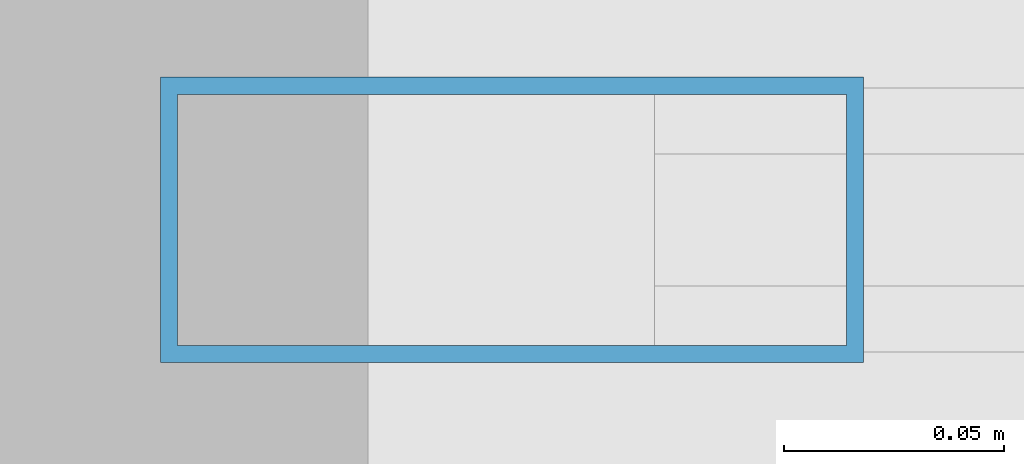
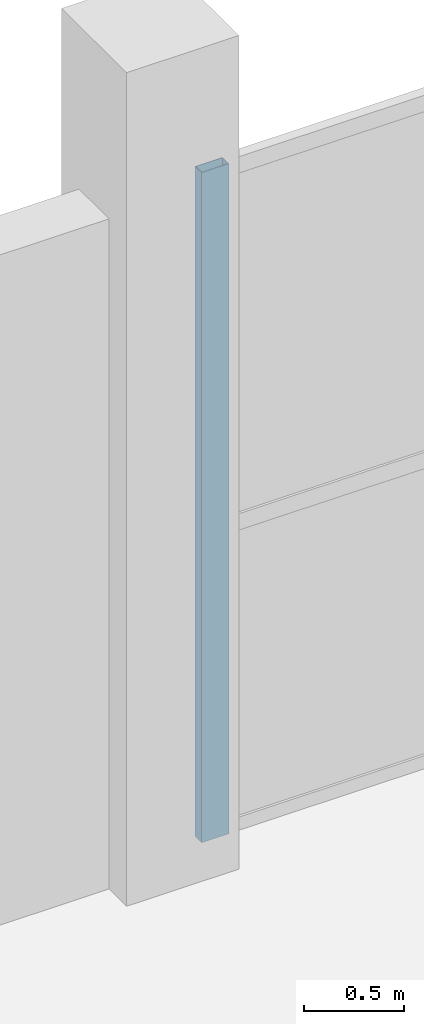
# One storey, part 45 of 67: 1 member, 1 element without a shape of its own.
"""IFC4 building model written with IfcOpenShell, lengths in metres."""

from ifc_helpers import new_model, si_unit, direction, frame, origin, origin_2d, place, context, subcontext, project, spatial, hollow_rectangle, extrude, material, layer, layer_set, material_profile, profile_set, type_object, element, aggregate, save


model = new_model("IFC4")

# Units and contexts
model_context = context("Model", 3, precision=1e-05, world=origin(), true_north=direction((0.0, 1.0)))
body_context = subcontext(model_context, "Body", "Model", "MODEL_VIEW")
ifc_project = project(units=[si_unit("LENGTHUNIT", "METRE"), si_unit("AREAUNIT", "SQUARE_METRE"), si_unit("VOLUMEUNIT", "CUBIC_METRE"), si_unit("PLANEANGLEUNIT", "RADIAN"), si_unit("MASSUNIT", "GRAM", prefix="KILO")], contexts=[model_context])

# Site, building, storey
site_placement = place(None, origin())
site = spatial("IfcSite", under=ifc_project, at=site_placement, CompositionType="ELEMENT")
building_placement = place(site_placement, origin())
building = spatial("IfcBuilding", under=site, at=building_placement, Name="Sillaruma Civic Art Gallery", CompositionType="ELEMENT")
storey_placement = place(building_placement, frame((0.0, 0.0, 46.919921875)))
storey = spatial("IfcBuildingStorey", under=building, at=storey_placement, Name="L09", CompositionType="ELEMENT", Elevation=46.919921875)

# Curtain wall, member
ifc_material = material(Name="Thermally Broken Extruded Aluminium 6063-T6", Category="aluminium")
ifc_layer = layer(ifc_material, 0.159912109375, Name="Thermally Broken Extruded Aluminium 6063-T6")
ifc_layer_set = layer_set([ifc_layer], Name="Thermally Broken Extruded Aluminium 6063-T6")
curtain_wall_type = type_object("IfcCurtainWallType", Name="CW-UNI-74", PredefinedType="NOTDEFINED", material=ifc_layer_set)
curtain_wall_placement = place(storey_placement, origin())
curtain_wall = element("IfcCurtainWall", 1, at=curtain_wall_placement, inside=storey, type_object=curtain_wall_type, Name="Unitised Curtain Wall CW-74 (CW-L09-EBN-2)", PredefinedType="NOTDEFINED")
ifc_material_profile = material_profile(ifc_material, hollow_rectangle(XDim=0.06494140625, YDim=0.159912109375, WallThickness=0.00390625, at=origin_2d()), Name="CWM65x160")
ifc_profile_set = profile_set([ifc_material_profile], Name="Thermally Broken Extruded Aluminium 6063-T6")
member_type = type_object("IfcMemberType", Name="MEM-MUL-CWM65x160", PredefinedType="MULLION", material=ifc_profile_set)
member_placement = place(storey_placement, frame((106.5576171875, 99.0, 0.0), z_axis=(0.0, 0.0, 1.0), x_axis=(0.0, 1.0, 0.0)))
member = element("IfcMember", 2, at=member_placement, type_object=member_type, Name="CW-74 mullion 1", PredefinedType="MULLION", context=body_context, shape_type="SweptSolid", body=[
    extrude(hollow_rectangle(XDim=0.06494140625, YDim=0.159912109375, WallThickness=0.00390625, at=origin_2d()), origin(), (0.0, 0.0, 1.0), 4.10009765625),
])
aggregate(curtain_wall, [member])

save(model, "model.ifc")
